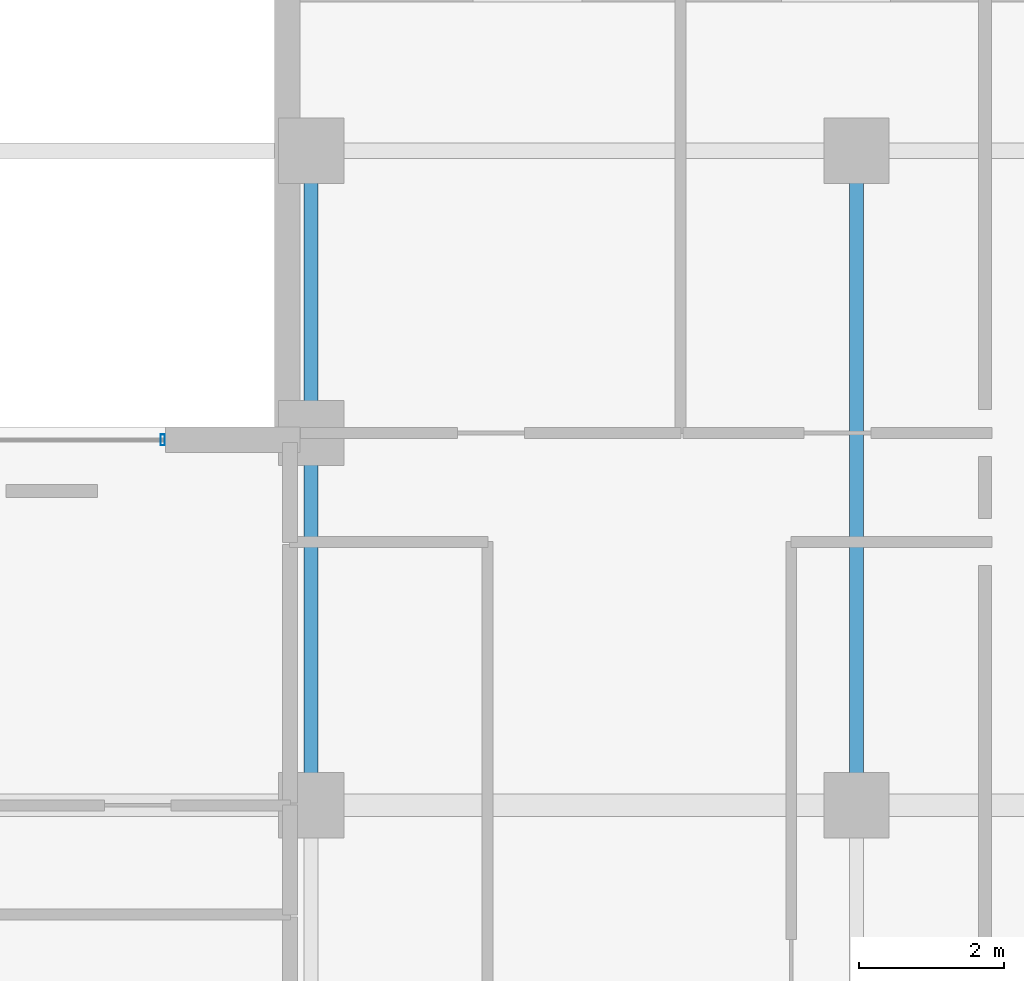
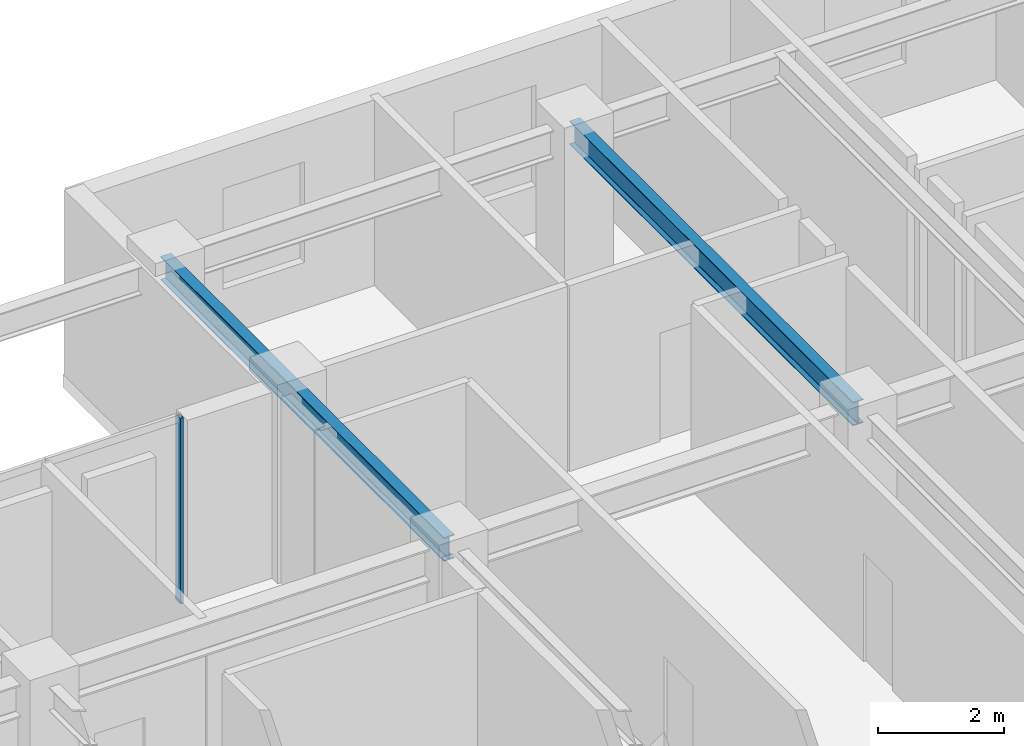
# One storey, part 5 of 14: 2 beams, 1 member, 1 element without a shape of its own.
"""IFC4 building model written with IfcOpenShell, lengths in metres."""

import ifcopenshell
import ifcopenshell.guid

model = None  # the IFC model being written
_history = None  # IfcOwnerHistory: only IFC2X3 demands one
_inside = {}  # id of a spatial element -> (the spatial element, [elements in it])
_under = {}  # id of a project, library or spatial element -> (it, [spatial elements below it])
_declared = {}  # id of a project -> (the project, [libraries it declares])
_typed = {}  # id of a type object -> (the type object, [elements of that type])
_made_of = {}  # id of a material, layer set ... -> (it, [elements and type objects made of it])


def new_model(schema):
    """Start an empty IFC model of exactly this schema.

    Asked for "IFC4X3", IfcOpenShell would pick the latest addendum, in which some entities
    have other attributes; the version numbers below select the first issue.
    IFC2X3 requires an IfcOwnerHistory on every rooted entity: one is made here for all.
    """
    global model, _history
    if schema == "IFC4X3":
        model = ifcopenshell.file(schema_version=(4, 3, 0, 0))
    else:
        model = ifcopenshell.file(schema=schema)
    _inside.clear()
    _under.clear()
    _declared.clear()
    _typed.clear()
    _made_of.clear()
    _history = None
    if model.schema == "IFC2X3":
        org = make("IfcOrganization", Name="unknown")
        user = make(
            "IfcPersonAndOrganization",
            ThePerson=make("IfcPerson", FamilyName="unknown"),
            TheOrganization=org,
        )
        app = make(
            "IfcApplication",
            ApplicationDeveloper=org,
            Version="unknown",
            ApplicationFullName="unknown",
            ApplicationIdentifier="unknown",
        )
        _history = make(
            "IfcOwnerHistory",
            OwningUser=user,
            OwningApplication=app,
            ChangeAction="ADDED",
            CreationDate=0,
        )
    return model


def make(cls, **values):
    """One entity of the class cls with the attributes given. An attribute that is None is left unset."""
    return model.create_entity(
        cls, **{name: value for name, value in values.items() if value is not None}
    )


def rooted(cls, **values):
    """An entity with a GlobalId (a new one), such as an element, a storey or a relation."""
    return make(cls, GlobalId=ifcopenshell.guid.new(), OwnerHistory=_history, **values)


def si_unit(unit_type, name, prefix=None):
    """IfcSIUnit, for example si_unit("LENGTHUNIT", "METRE", prefix="MILLI")."""
    return make("IfcSIUnit", UnitType=unit_type, Prefix=prefix, Name=name)


def assignment(units):
    """IfcUnitAssignment: the units of a project."""
    return None if units is None else make("IfcUnitAssignment", Units=units)


def point(xyz):
    """IfcCartesianPoint."""
    return None if xyz is None else make("IfcCartesianPoint", Coordinates=xyz)


def direction(xyz):
    """IfcDirection."""
    return None if xyz is None else make("IfcDirection", DirectionRatios=xyz)


def frame(location, z_axis=None, x_axis=None):
    """IfcAxis2Placement3D, a coordinate frame: its origin and axes. An axis left out is left unset."""
    return make(
        "IfcAxis2Placement3D",
        Location=point(location),
        Axis=direction(z_axis),
        RefDirection=direction(x_axis),
    )


def frame_2d(location, x_axis=None):
    """IfcAxis2Placement2D, a coordinate frame in the plane: its origin and x axis."""
    return make(
        "IfcAxis2Placement2D", Location=point(location), RefDirection=direction(x_axis)
    )


def origin():
    """The frame at (0, 0, 0) with its axes left unset."""
    return frame((0.0, 0.0, 0.0))


def origin_2d():
    """The frame at (0, 0) in the plane with its x axis left unset."""
    return frame_2d((0.0, 0.0))


def place(relative_to, where):
    """IfcLocalPlacement: puts the frame where relative to a parent placement (None: the world)."""
    return make(
        "IfcLocalPlacement", PlacementRelTo=relative_to, RelativePlacement=where
    )


def context(
    kind, dimensions, precision=None, world=None, true_north=None, identifier=None
):
    """IfcGeometricRepresentationContext, for example the 3D "Model" context."""
    return make(
        "IfcGeometricRepresentationContext",
        ContextIdentifier=identifier,
        ContextType=kind,
        CoordinateSpaceDimension=dimensions,
        Precision=precision,
        WorldCoordinateSystem=world,
        TrueNorth=true_north,
    )


def subcontext(parent, identifier, kind, view, scale=None):
    """IfcGeometricRepresentationSubContext, for example "Body" below "Model"."""
    return make(
        "IfcGeometricRepresentationSubContext",
        ContextIdentifier=identifier,
        ContextType=kind,
        ParentContext=parent,
        TargetScale=scale,
        TargetView=view,
    )


def project(units=None, contexts=None):
    """IfcProject with its units and contexts."""
    return rooted(
        "IfcProject",
        Name="project",
        RepresentationContexts=contexts,
        UnitsInContext=assignment(units),
    )


def spatial(cls, under=None, at=None, **own):
    """A site, building, storey or space (cls), placed at a placement, below another one or the project."""
    s = rooted(cls, ObjectPlacement=at, **own)
    if under is not None:
        _under.setdefault(under.id(), (under, []))[1].append(s)
    return s


def profile(cls, at=None, kind="AREA", **sizes):
    """A parametric profile (cls). Its sizes go by their IFC names, for example OverallWidth=200.0."""
    return make(cls, ProfileType=kind, Position=at, **sizes)


def hollow_rectangle(**sizes):
    """IfcRectangleHollowProfileDef."""
    return profile("IfcRectangleHollowProfileDef", **sizes)


def i_section(**sizes):
    """IfcIShapeProfileDef."""
    return profile("IfcIShapeProfileDef", **sizes)


def extrude(swept, where, along, depth):
    """IfcExtrudedAreaSolid: the profile swept, set in the frame where, extruded along a direction by depth."""
    return make(
        "IfcExtrudedAreaSolid",
        SweptArea=swept,
        Position=where,
        ExtrudedDirection=direction(along),
        Depth=depth,
    )


def shape(context_of_items, identifier, shape_type, items):
    """IfcShapeRepresentation: the items that make up one representation, for example the "Body"."""
    return make(
        "IfcShapeRepresentation",
        ContextOfItems=context_of_items,
        RepresentationIdentifier=identifier,
        RepresentationType=shape_type,
        Items=items,
    )


def material(Name=None, Category=None):
    """IfcMaterial."""
    return make("IfcMaterial", Name=Name, Category=Category)


def material_profile(
    of_material, cross_section, Name=None, Category=None, Priority=None
):
    """IfcMaterialProfile: a cross section and its material."""
    return make(
        "IfcMaterialProfile",
        Name=Name,
        Material=of_material,
        Profile=cross_section,
        Priority=Priority,
        Category=Category,
    )


def profile_set(profiles, Name=None, composite=None):
    """IfcMaterialProfileSet."""
    return make(
        "IfcMaterialProfileSet",
        Name=Name,
        MaterialProfiles=profiles,
        CompositeProfile=composite,
    )


def made_of(thing, what):
    """Note that an element or type object is made of a material, layer set ...; save() writes the relation."""
    if what is not None:
        _made_of.setdefault(what.id(), (what, []))[1].append(thing)
    return thing


def type_object(cls, material=None, **own):
    """A type object (cls), such as IfcWallType, which elements share."""
    return made_of(rooted(cls, **own), material)


def element(
    cls,
    number,
    at=None,
    inside=None,
    cuts=None,
    type_object=None,
    material=None,
    context=None,
    identifier="Body",
    shape_type=None,
    held_by="IfcProductDefinitionShape",
    body=None,
    shapes=None,
    **own,
):
    """One element of the class cls, such as IfcWall. Its Tag is "e" and its number.

    at: its placement. inside: the storey or other place that contains it. cuts: it is an
    opening in that element (IfcRelVoidsElement). A single representation is given by context,
    identifier, shape_type and body (its items); several are given by shapes. held_by: the class
    of the entity that holds the representations. save() writes the other relations.
    """
    e = rooted(cls, Tag="e%d" % number, ObjectPlacement=at, **own)
    if body is not None:
        shapes = [shape(context, identifier, shape_type, body)]
    if shapes is not None:
        e.Representation = make(held_by, Representations=shapes)
    if inside is not None:
        _inside.setdefault(inside.id(), (inside, []))[1].append(e)
    if cuts is not None:
        rooted(
            "IfcRelVoidsElement", RelatingBuildingElement=cuts, RelatedOpeningElement=e
        )
    if type_object is not None:
        _typed.setdefault(type_object.id(), (type_object, []))[1].append(e)
    return made_of(e, material)


def aggregate(whole, parts):
    """IfcRelAggregates: a whole, such as a stair, and the parts it consists of."""
    return rooted("IfcRelAggregates", RelatingObject=whole, RelatedObjects=parts)


def save(model, path):
    """Write the relations noted so far, then the file.

    IfcRelAggregates (storeys below a building ...), IfcRelContainedInSpatialStructure (elements
    in a storey), IfcRelDefinesByType, IfcRelAssociatesMaterial and IfcRelDeclares: one each for
    every whole, place, type object, material and project.
    """
    for whole, parts in _under.values():
        aggregate(whole, parts)
    for where, things in _inside.values():
        rooted(
            "IfcRelContainedInSpatialStructure",
            RelatedElements=things,
            RelatingStructure=where,
        )
    for kind, things in _typed.values():
        rooted("IfcRelDefinesByType", RelatedObjects=things, RelatingType=kind)
    for what, things in _made_of.values():
        rooted("IfcRelAssociatesMaterial", RelatedObjects=things, RelatingMaterial=what)
    for by, libraries in _declared.values():
        rooted("IfcRelDeclares", RelatingContext=by, RelatedDefinitions=libraries)
    model.write(path)


model = new_model("IFC4")

# Units and contexts
model_context = context("Model", 3, precision=1e-05, world=origin(), true_north=direction((0.0, 1.0)))
body_context = subcontext(model_context, "Body", "Model", "MODEL_VIEW")
ifc_project = project(units=[si_unit("LENGTHUNIT", "METRE"), si_unit("AREAUNIT", "SQUARE_METRE"), si_unit("VOLUMEUNIT", "CUBIC_METRE"), si_unit("PLANEANGLEUNIT", "RADIAN"), si_unit("MASSUNIT", "GRAM", prefix="KILO")], contexts=[model_context])

# Site, building, storey
site_placement = place(None, origin())
site = spatial("IfcSite", under=ifc_project, at=site_placement, CompositionType="ELEMENT")
building_placement = place(site_placement, origin())
building = spatial("IfcBuilding", under=site, at=building_placement, Name="Ventersveld Concourse Tower", CompositionType="ELEMENT")
storey_placement = place(building_placement, frame((0.0, 0.0, 81.050048828125)))
storey = spatial("IfcBuildingStorey", under=building, at=storey_placement, Name="L19", CompositionType="ELEMENT", Elevation=81.050048828125)

# Beams
ifc_material_1 = material(Name="Structural steel S355J2", Category="steel")
ifc_material_profile_1 = material_profile(ifc_material_1, i_section(OverallWidth=0.19140625, OverallDepth=0.4599609375, WebThickness=0.010009765625, FlangeThickness=0.01611328125, FilletRadius=0.01025390625, at=origin_2d()), Name="UB 457x191x82")
ifc_profile_set_1 = profile_set([ifc_material_profile_1], Name="Structural steel S355J2")
beam_type = type_object("IfcBeamType", Name="BM-UB457H", PredefinedType="BEAM", material=ifc_profile_set_1)
for number, where, z_axis, x_axis, name in (
    (1, (36.25, 35.0, 3.369873046875), (0.0, 1.0, 0.0), (-1.0, 0.0, 0.0), "L19 N-S Composite Floor Beam North X=36.25"),
    (2, (43.75, 35.0, 3.369873046875), (0.0, 1.0, 0.0), (-1.0, 0.0, 0.0), "L19 N-S Composite Floor Beam North X=43.75"),
):
    element("IfcBeam", number, at=place(storey_placement, frame(where, z_axis=z_axis, x_axis=x_axis)), inside=storey, type_object=beam_type, Name=name, PredefinedType="BEAM", context=body_context, shape_type="SweptSolid", body=[
        extrude(i_section(OverallWidth=0.19140625, OverallDepth=0.4599609375, WebThickness=0.010009765625, FlangeThickness=0.01611328125, FilletRadius=0.01025390625, at=origin_2d()), origin(), (0.0, 0.0, 1.0), 9.0),
    ])

# Curtain wall, member
ifc_material_2 = material(Name="Anodised aluminium EN AW-6063-T6", Category="aluminium")
curtain_wall_type = type_object("IfcCurtainWallType", Name="CW-SG-4", PredefinedType="NOTDEFINED", material=ifc_material_2)
curtain_wall_placement = place(storey_placement, origin())
curtain_wall = element("IfcCurtainWall", 3, at=curtain_wall_placement, inside=storey, type_object=curtain_wall_type, Name="L19 L19 Sky Garden Recessed Curtain Wall", PredefinedType="NOTDEFINED")
ifc_material_profile_2 = material_profile(ifc_material_2, hollow_rectangle(XDim=0.06005859375, YDim=0.14990234375, WallThickness=0.00390625, at=origin_2d()), Name="ALU 150x60x4")
ifc_profile_set_2 = profile_set([ifc_material_profile_2], Name="Anodised aluminium EN AW-6063-T6")
member_type = type_object("IfcMemberType", Name="CWM-150x65", PredefinedType="MULLION", material=ifc_profile_set_2)
member_placement = place(storey_placement, frame((34.2099609375, 40.02490234375, 0.0), z_axis=(0.0, 0.0, 1.0), x_axis=(1.0, 0.0, 0.0)))
member = element("IfcMember", 4, at=member_placement, type_object=member_type, Name="CW-L19-SG-S2 Mullion 03", PredefinedType="MULLION", context=body_context, shape_type="SweptSolid", body=[
    extrude(hollow_rectangle(XDim=0.06005859375, YDim=0.14990234375, WallThickness=0.00390625, at=origin_2d()), origin(), (0.0, 0.0, 1.0), 3.599853515625),
])
aggregate(curtain_wall, [member])

save(model, "model.ifc")
